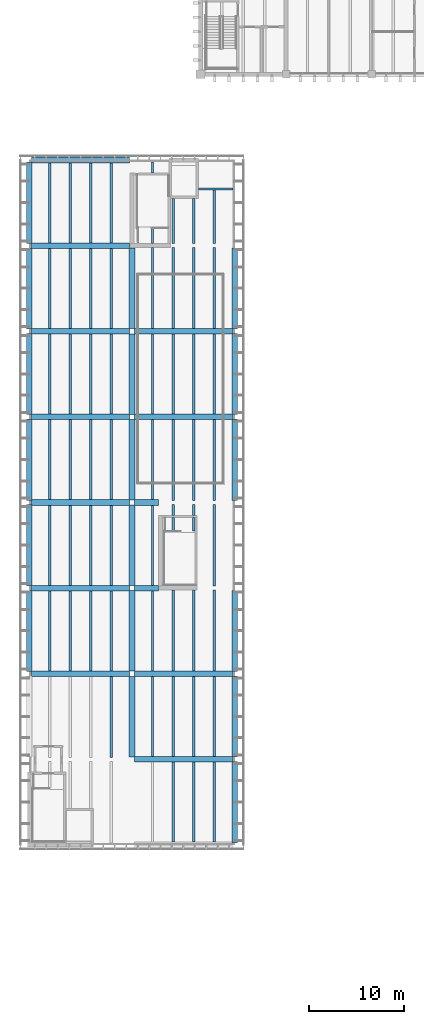
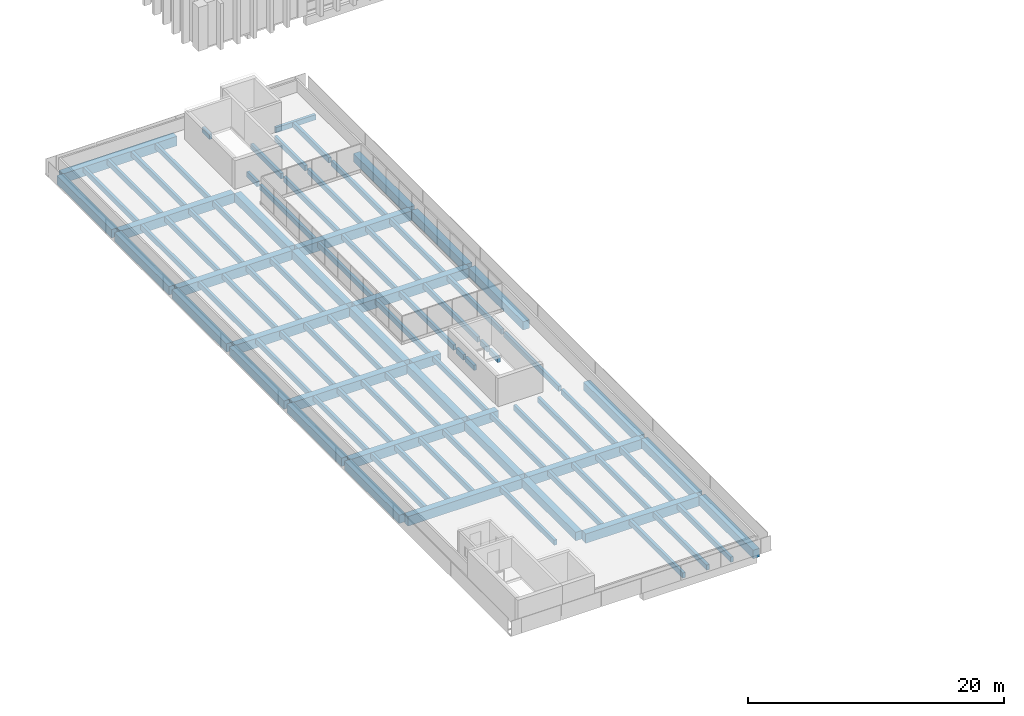
# One storey, part 6 of 29: 91 beams.
"""IFC4 building model written with IfcOpenShell, lengths in metres."""

from ifc_helpers import new_model, si_unit, direction, frame, origin, origin_2d, place, context, subcontext, project, spatial, rectangle, extrude, material, material_profile, profile_set, type_object, element, save


model = new_model("IFC4")

# Units and contexts
model_context = context("Model", 3, precision=1e-05, world=origin(), true_north=direction((0.0, 1.0)))
body_context = subcontext(model_context, "Body", "Model", "MODEL_VIEW")
ifc_project = project(units=[si_unit("LENGTHUNIT", "METRE"), si_unit("AREAUNIT", "SQUARE_METRE"), si_unit("VOLUMEUNIT", "CUBIC_METRE"), si_unit("PLANEANGLEUNIT", "RADIAN"), si_unit("MASSUNIT", "GRAM", prefix="KILO")], contexts=[model_context])

# Site, building, storey
site_placement = place(None, origin())
site = spatial("IfcSite", under=ifc_project, at=site_placement, CompositionType="ELEMENT")
building_placement = place(site_placement, origin())
building = spatial("IfcBuilding", under=site, at=building_placement, Name="Merrow Basin Faculty of Sciences", CompositionType="ELEMENT")
storey_placement = place(building_placement, frame((0.0, 0.0, 22.5)))
storey = spatial("IfcBuildingStorey", under=building, at=storey_placement, Name="L05", CompositionType="ELEMENT", Elevation=22.5)

# Beams
ifc_material_1 = material(Name="Concrete C40/50", Category="concrete")
ifc_material_profile_1 = material_profile(ifc_material_1, rectangle(XDim=0.60009765625, YDim=0.800048828125, at=origin_2d()))
ifc_profile_set_1 = profile_set([ifc_material_profile_1], Name="Concrete C40/50")
beam_type_1 = type_object("IfcBeamType", Name="Beam RC600x800 C40/50", PredefinedType="BEAM", material=ifc_profile_set_1)
for number, where, z_axis, x_axis, name in (
    (1, (0.0, 79.22509765625, -0.64990234375), (0.0, 1.0, 0.0), (-1.0, 0.0, 0.0), "B2 L05 016"),
    (2, (0.0, 88.22509765625, -0.64990234375), (0.0, 1.0, 0.0), (-1.0, 0.0, 0.0), "B2 L05 017"),
    (3, (0.0, 97.22509765625, -0.64990234375), (0.0, 1.0, 0.0), (-1.0, 0.0, 0.0), "B2 L05 018"),
    (4, (0.0, 106.22509765625, -0.64990234375), (0.0, 1.0, 0.0), (-1.0, 0.0, 0.0), "B2 L05 019"),
    (5, (0.0, 115.22509765625, -0.64990234375), (0.0, 1.0, 0.0), (-1.0, 0.0, 0.0), "B2 L05 020"),
    (6, (0.0, 124.22509765625, -0.64990234375), (0.0, 1.0, 0.0), (-1.0, 0.0, 0.0), "B2 L05 021"),
):
    element("IfcBeam", number, at=place(storey_placement, frame(where, z_axis=z_axis, x_axis=x_axis)), inside=storey, type_object=beam_type_1, Name=name, PredefinedType="BEAM", context=body_context, shape_type="SweptSolid", body=[
        extrude(rectangle(XDim=0.60009765625, YDim=0.800048828125, at=origin_2d()), origin(), (0.0, 0.0, 1.0), 8.5498046875),
    ])
for number, where, z_axis, x_axis, name in (
    (7, (10.800048828125, 70.27490234375, -0.64990234375), (0.0, 1.0, 0.0), (-1.0, 0.0, 0.0), "B2 L05 022"),
    (8, (10.800048828125, 79.27490234375, -0.64990234375), (0.0, 1.0, 0.0), (-1.0, 0.0, 0.0), "B2 L05 023"),
    (9, (10.800048828125, 88.27490234375, -0.64990234375), (0.0, 1.0, 0.0), (-1.0, 0.0, 0.0), "B2 L05 024"),
    (10, (10.800048828125, 97.27490234375, -0.64990234375), (0.0, 1.0, 0.0), (-1.0, 0.0, 0.0), "B2 L05 025"),
    (11, (10.800048828125, 106.27490234375, -0.64990234375), (0.0, 1.0, 0.0), (-1.0, 0.0, 0.0), "B2 L05 026"),
    (12, (10.800048828125, 115.27490234375, -0.64990234375), (0.0, 1.0, 0.0), (-1.0, 0.0, 0.0), "B2 L05 027"),
):
    element("IfcBeam", number, at=place(storey_placement, frame(where, z_axis=z_axis, x_axis=x_axis)), inside=storey, type_object=beam_type_1, Name=name, PredefinedType="BEAM", context=body_context, shape_type="SweptSolid", body=[
        extrude(rectangle(XDim=0.60009765625, YDim=0.800048828125, at=origin_2d()), origin(), (0.0, 0.0, 1.0), 8.4501953125),
    ])
for number, where, z_axis, x_axis, name in (
    (13, (21.60009765625, 61.22509765625, -0.64990234375), (0.0, 1.0, 0.0), (-1.0, 0.0, 0.0), "B2 L05 028"),
    (14, (21.60009765625, 70.22509765625, -0.64990234375), (0.0, 1.0, 0.0), (-1.0, 0.0, 0.0), "B2 L05 029"),
    (15, (21.60009765625, 79.22509765625, -0.64990234375), (0.0, 1.0, 0.0), (-1.0, 0.0, 0.0), "B2 L05 030"),
    (16, (21.60009765625, 97.22509765625, -0.64990234375), (0.0, 1.0, 0.0), (-1.0, 0.0, 0.0), "B2 L05 031"),
    (17, (21.60009765625, 106.22509765625, -0.64990234375), (0.0, 1.0, 0.0), (-1.0, 0.0, 0.0), "B2 L05 032"),
    (18, (21.60009765625, 115.22509765625, -0.64990234375), (0.0, 1.0, 0.0), (-1.0, 0.0, 0.0), "B2 L05 033"),
):
    element("IfcBeam", number, at=place(storey_placement, frame(where, z_axis=z_axis, x_axis=x_axis)), inside=storey, type_object=beam_type_1, Name=name, PredefinedType="BEAM", context=body_context, shape_type="SweptSolid", body=[
        extrude(rectangle(XDim=0.60009765625, YDim=0.800048828125, at=origin_2d()), origin(), (0.0, 0.0, 1.0), 8.5498046875),
    ])
ifc_material_2 = material(Name="Concrete C40/50", Category="concrete")
ifc_material_profile_2 = material_profile(ifc_material_2, rectangle(XDim=0.60009765625, YDim=0.89990234375, at=origin_2d()))
ifc_profile_set_2 = profile_set([ifc_material_profile_2], Name="Concrete C40/50")
beam_type_2 = type_object("IfcBeamType", Name="Beam RC600x900 C40/50", PredefinedType="BEAM", material=ifc_profile_set_2)
beam_1_placement = place(storey_placement, frame((11.074951171875, 70.0, -0.699951171875), z_axis=(1.0, 0.0, 0.0), x_axis=(0.0, 1.0, 0.0)))
element("IfcBeam", 19, at=beam_1_placement, inside=storey, type_object=beam_type_2, Name="B1 L05 002", PredefinedType="BEAM", context=body_context, shape_type="SweptSolid", body=[
    extrude(rectangle(XDim=0.60009765625, YDim=0.89990234375, at=origin_2d()), origin(), (0.0, 0.0, 1.0), 10.300048828125),
])
beam_2_placement = place(storey_placement, frame((0.22509765625, 79.0, -0.699951171875), z_axis=(1.0, 0.0, 0.0), x_axis=(0.0, 1.0, 0.0)))
element("IfcBeam", 20, at=beam_2_placement, inside=storey, type_object=beam_type_2, Name="B1 L05 003", PredefinedType="BEAM", context=body_context, shape_type="SweptSolid", body=[
    extrude(rectangle(XDim=0.60009765625, YDim=0.89990234375, at=origin_2d()), origin(), (0.0, 0.0, 1.0), 10.2998046875),
])
beam_3_placement = place(storey_placement, frame((11.074951171875, 79.0, -0.699951171875), z_axis=(1.0, 0.0, 0.0), x_axis=(0.0, 1.0, 0.0)))
element("IfcBeam", 21, at=beam_3_placement, inside=storey, type_object=beam_type_2, Name="B1 L05 004", PredefinedType="BEAM", context=body_context, shape_type="SweptSolid", body=[
    extrude(rectangle(XDim=0.60009765625, YDim=0.89990234375, at=origin_2d()), origin(), (0.0, 0.0, 1.0), 10.300048828125),
])
beam_4_placement = place(storey_placement, frame((0.22509765625, 88.0, -0.699951171875), z_axis=(1.0, 0.0, 0.0), x_axis=(0.0, 1.0, 0.0)))
element("IfcBeam", 22, at=beam_4_placement, inside=storey, type_object=beam_type_2, Name="B1 L05 005", PredefinedType="BEAM", context=body_context, shape_type="SweptSolid", body=[
    extrude(rectangle(XDim=0.60009765625, YDim=0.89990234375, at=origin_2d()), origin(), (0.0, 0.0, 1.0), 10.2998046875),
])
beam_5_placement = place(storey_placement, frame((11.074951171875, 88.0, -0.699951171875), z_axis=(1.0, 0.0, 0.0), x_axis=(0.0, 1.0, 0.0)))
element("IfcBeam", 23, at=beam_5_placement, inside=storey, type_object=beam_type_2, Name="B1 L05 006", PredefinedType="BEAM", context=body_context, shape_type="SweptSolid", body=[
    extrude(rectangle(XDim=0.60009765625, YDim=0.89990234375, at=origin_2d()), origin(), (0.0, 0.0, 1.0), 2.525146484375),
])
beam_6_placement = place(storey_placement, frame((0.22509765625, 97.0, -0.699951171875), z_axis=(1.0, 0.0, 0.0), x_axis=(0.0, 1.0, 0.0)))
element("IfcBeam", 24, at=beam_6_placement, inside=storey, type_object=beam_type_2, Name="B1 L05 007", PredefinedType="BEAM", context=body_context, shape_type="SweptSolid", body=[
    extrude(rectangle(XDim=0.60009765625, YDim=0.89990234375, at=origin_2d()), origin(), (0.0, 0.0, 1.0), 10.2998046875),
])
beam_7_placement = place(storey_placement, frame((11.074951171875, 97.0, -0.699951171875), z_axis=(1.0, 0.0, 0.0), x_axis=(0.0, 1.0, 0.0)))
element("IfcBeam", 25, at=beam_7_placement, inside=storey, type_object=beam_type_2, Name="B1 L05 008", PredefinedType="BEAM", context=body_context, shape_type="SweptSolid", body=[
    extrude(rectangle(XDim=0.60009765625, YDim=0.89990234375, at=origin_2d()), origin(), (0.0, 0.0, 1.0), 2.525146484375),
])
beam_8_placement = place(storey_placement, frame((0.22509765625, 106.0, -0.699951171875), z_axis=(1.0, 0.0, 0.0), x_axis=(0.0, 1.0, 0.0)))
element("IfcBeam", 26, at=beam_8_placement, inside=storey, type_object=beam_type_2, Name="B1 L05 009", PredefinedType="BEAM", context=body_context, shape_type="SweptSolid", body=[
    extrude(rectangle(XDim=0.60009765625, YDim=0.89990234375, at=origin_2d()), origin(), (0.0, 0.0, 1.0), 10.2998046875),
])
beam_9_placement = place(storey_placement, frame((11.074951171875, 106.0, -0.699951171875), z_axis=(1.0, 0.0, 0.0), x_axis=(0.0, 1.0, 0.0)))
element("IfcBeam", 27, at=beam_9_placement, inside=storey, type_object=beam_type_2, Name="B1 L05 010", PredefinedType="BEAM", context=body_context, shape_type="SweptSolid", body=[
    extrude(rectangle(XDim=0.60009765625, YDim=0.89990234375, at=origin_2d()), origin(), (0.0, 0.0, 1.0), 10.300048828125),
])
beam_10_placement = place(storey_placement, frame((0.22509765625, 115.0, -0.699951171875), z_axis=(1.0, 0.0, 0.0), x_axis=(0.0, 1.0, 0.0)))
element("IfcBeam", 28, at=beam_10_placement, inside=storey, type_object=beam_type_2, Name="B1 L05 011", PredefinedType="BEAM", context=body_context, shape_type="SweptSolid", body=[
    extrude(rectangle(XDim=0.60009765625, YDim=0.89990234375, at=origin_2d()), origin(), (0.0, 0.0, 1.0), 10.2998046875),
])
beam_11_placement = place(storey_placement, frame((11.074951171875, 115.0, -0.699951171875), z_axis=(1.0, 0.0, 0.0), x_axis=(0.0, 1.0, 0.0)))
element("IfcBeam", 29, at=beam_11_placement, inside=storey, type_object=beam_type_2, Name="B1 L05 012", PredefinedType="BEAM", context=body_context, shape_type="SweptSolid", body=[
    extrude(rectangle(XDim=0.60009765625, YDim=0.89990234375, at=origin_2d()), origin(), (0.0, 0.0, 1.0), 10.300048828125),
])
for number, where, z_axis, x_axis, name in (
    (30, (0.22509765625, 124.0, -0.699951171875), (1.0, 0.0, 0.0), (0.0, 1.0, 0.0), "B1 L05 013"),
    (31, (0.22509765625, 133.0, -0.699951171875), (1.0, 0.0, 0.0), (0.0, 1.0, 0.0), "B1 L05 014"),
):
    element("IfcBeam", number, at=place(storey_placement, frame(where, z_axis=z_axis, x_axis=x_axis)), inside=storey, type_object=beam_type_2, Name=name, PredefinedType="BEAM", context=body_context, shape_type="SweptSolid", body=[
        extrude(rectangle(XDim=0.60009765625, YDim=0.89990234375, at=origin_2d()), origin(), (0.0, 0.0, 1.0), 10.2998046875),
    ])
ifc_material_3 = material(Name="Concrete C40/50", Category="concrete")
ifc_material_profile_3 = material_profile(ifc_material_3, rectangle(XDim=0.25, YDim=0.5, at=origin_2d()))
ifc_profile_set_3 = profile_set([ifc_material_profile_3], Name="Concrete C40/50")
beam_type_3 = type_object("IfcBeamType", Name="Roof joist RC250x500 C40/50", PredefinedType="BEAM", material=ifc_profile_set_3)
beam_12_placement = place(storey_placement, frame((8.639892578125, 70.199951171875, -0.5), z_axis=(0.0, 1.0, 0.0), x_axis=(-1.0, 0.0, 0.0)))
element("IfcBeam", 32, at=beam_12_placement, inside=storey, type_object=beam_type_3, Name="JR1 L05 042", PredefinedType="BEAM", context=body_context, shape_type="SweptSolid", body=[
    extrude(rectangle(XDim=0.25, YDim=0.5, at=origin_2d()), origin(), (0.0, 0.0, 1.0), 8.5),
])
for number, where, z_axis, x_axis, name in (
    (33, (2.159912109375, 79.300048828125, -0.5), (0.0, 1.0, 0.0), (-1.0, 0.0, 0.0), "JR1 L05 043"),
    (34, (4.320068359375, 79.300048828125, -0.5), (0.0, 1.0, 0.0), (-1.0, 0.0, 0.0), "JR1 L05 044"),
    (35, (6.47998046875, 79.300048828125, -0.5), (0.0, 1.0, 0.0), (-1.0, 0.0, 0.0), "JR1 L05 045"),
    (36, (8.639892578125, 79.300048828125, -0.5), (0.0, 1.0, 0.0), (-1.0, 0.0, 0.0), "JR1 L05 046"),
    (37, (2.159912109375, 88.300048828125, -0.5), (0.0, 1.0, 0.0), (-1.0, 0.0, 0.0), "JR1 L05 047"),
    (38, (4.320068359375, 88.300048828125, -0.5), (0.0, 1.0, 0.0), (-1.0, 0.0, 0.0), "JR1 L05 048"),
    (39, (6.47998046875, 88.300048828125, -0.5), (0.0, 1.0, 0.0), (-1.0, 0.0, 0.0), "JR1 L05 049"),
    (40, (8.639892578125, 88.300048828125, -0.5), (0.0, 1.0, 0.0), (-1.0, 0.0, 0.0), "JR1 L05 050"),
    (41, (2.159912109375, 97.300048828125, -0.5), (0.0, 1.0, 0.0), (-1.0, 0.0, 0.0), "JR1 L05 051"),
    (42, (4.320068359375, 97.300048828125, -0.5), (0.0, 1.0, 0.0), (-1.0, 0.0, 0.0), "JR1 L05 052"),
    (43, (6.47998046875, 97.300048828125, -0.5), (0.0, 1.0, 0.0), (-1.0, 0.0, 0.0), "JR1 L05 053"),
    (44, (8.639892578125, 97.300048828125, -0.5), (0.0, 1.0, 0.0), (-1.0, 0.0, 0.0), "JR1 L05 054"),
    (45, (2.159912109375, 106.300048828125, -0.5), (0.0, 1.0, 0.0), (-1.0, 0.0, 0.0), "JR1 L05 055"),
    (46, (4.320068359375, 106.300048828125, -0.5), (0.0, 1.0, 0.0), (-1.0, 0.0, 0.0), "JR1 L05 056"),
    (47, (6.47998046875, 106.300048828125, -0.5), (0.0, 1.0, 0.0), (-1.0, 0.0, 0.0), "JR1 L05 057"),
    (48, (8.639892578125, 106.300048828125, -0.5), (0.0, 1.0, 0.0), (-1.0, 0.0, 0.0), "JR1 L05 058"),
    (49, (2.159912109375, 115.300048828125, -0.5), (0.0, 1.0, 0.0), (-1.0, 0.0, 0.0), "JR1 L05 059"),
    (50, (4.320068359375, 115.300048828125, -0.5), (0.0, 1.0, 0.0), (-1.0, 0.0, 0.0), "JR1 L05 060"),
    (51, (6.47998046875, 115.300048828125, -0.5), (0.0, 1.0, 0.0), (-1.0, 0.0, 0.0), "JR1 L05 061"),
    (52, (8.639892578125, 115.300048828125, -0.5), (0.0, 1.0, 0.0), (-1.0, 0.0, 0.0), "JR1 L05 062"),
    (53, (2.159912109375, 124.300048828125, -0.5), (0.0, 1.0, 0.0), (-1.0, 0.0, 0.0), "JR1 L05 063"),
    (54, (4.320068359375, 124.300048828125, -0.5), (0.0, 1.0, 0.0), (-1.0, 0.0, 0.0), "JR1 L05 064"),
    (55, (6.47998046875, 124.300048828125, -0.5), (0.0, 1.0, 0.0), (-1.0, 0.0, 0.0), "JR1 L05 065"),
    (56, (8.639892578125, 124.300048828125, -0.5), (0.0, 1.0, 0.0), (-1.0, 0.0, 0.0), "JR1 L05 066"),
    (57, (15.1201171875, 61.300048828125, -0.5), (0.0, 1.0, 0.0), (-1.0, 0.0, 0.0), "JR1 L05 068"),
    (58, (17.280029296875, 61.300048828125, -0.5), (0.0, 1.0, 0.0), (-1.0, 0.0, 0.0), "JR1 L05 069"),
    (59, (19.43994140625, 61.300048828125, -0.5), (0.0, 1.0, 0.0), (-1.0, 0.0, 0.0), "JR1 L05 070"),
    (60, (12.9599609375, 70.300048828125, -0.5), (0.0, 1.0, 0.0), (-1.0, 0.0, 0.0), "JR1 L05 071"),
    (61, (15.1201171875, 70.300048828125, -0.5), (0.0, 1.0, 0.0), (-1.0, 0.0, 0.0), "JR1 L05 072"),
    (62, (17.280029296875, 70.300048828125, -0.5), (0.0, 1.0, 0.0), (-1.0, 0.0, 0.0), "JR1 L05 073"),
    (63, (19.43994140625, 70.300048828125, -0.5), (0.0, 1.0, 0.0), (-1.0, 0.0, 0.0), "JR1 L05 074"),
    (64, (12.9599609375, 79.300048828125, -0.5), (0.0, 1.0, 0.0), (-1.0, 0.0, 0.0), "JR1 L05 075"),
):
    element("IfcBeam", number, at=place(storey_placement, frame(where, z_axis=z_axis, x_axis=x_axis)), inside=storey, type_object=beam_type_3, Name=name, PredefinedType="BEAM", context=body_context, shape_type="SweptSolid", body=[
        extrude(rectangle(XDim=0.25, YDim=0.5, at=origin_2d()), origin(), (0.0, 0.0, 1.0), 8.39990234375),
    ])
for number, where, z_axis, x_axis, name in (
    (65, (15.1201171875, 79.300048828125, -0.5), (0.0, 1.0, 0.0), (-1.0, 0.0, 0.0), "JR1 L05 076"),
    (66, (17.280029296875, 79.300048828125, -0.5), (0.0, 1.0, 0.0), (-1.0, 0.0, 0.0), "JR1 L05 077"),
    (67, (19.43994140625, 79.300048828125, -0.5), (0.0, 1.0, 0.0), (-1.0, 0.0, 0.0), "JR1 L05 078"),
):
    element("IfcBeam", number, at=place(storey_placement, frame(where, z_axis=z_axis, x_axis=x_axis)), inside=storey, type_object=beam_type_3, Name=name, PredefinedType="BEAM", context=body_context, shape_type="SweptSolid", body=[
        extrude(rectangle(XDim=0.25, YDim=0.5, at=origin_2d()), origin(), (0.0, 0.0, 1.0), 8.5),
    ])
beam_13_placement = place(storey_placement, frame((12.9599609375, 88.300048828125, -0.5), z_axis=(0.0, 1.0, 0.0), x_axis=(-1.0, 0.0, 0.0)))
element("IfcBeam", 68, at=beam_13_placement, inside=storey, type_object=beam_type_3, Name="JR1 L05 079", PredefinedType="BEAM", context=body_context, shape_type="SweptSolid", body=[
    extrude(rectangle(XDim=0.25, YDim=0.5, at=origin_2d()), origin(), (0.0, 0.0, 1.0), 8.39990234375),
])
beam_14_placement = place(storey_placement, frame((15.1201171875, 94.0, -0.5), z_axis=(0.0, 1.0, 0.0), x_axis=(-1.0, 0.0, 0.0)))
element("IfcBeam", 69, at=beam_14_placement, inside=storey, type_object=beam_type_3, Name="JR1 L05 080", PredefinedType="BEAM", context=body_context, shape_type="SweptSolid", body=[
    extrude(rectangle(XDim=0.25, YDim=0.5, at=origin_2d()), origin(), (0.0, 0.0, 1.0), 1.39990234375),
])
beam_15_placement = place(storey_placement, frame((15.1201171875, 95.64990234375, -0.5), z_axis=(0.0, 1.0, 0.0), x_axis=(-1.0, 0.0, 0.0)))
element("IfcBeam", 70, at=beam_15_placement, inside=storey, type_object=beam_type_3, Name="JR1 L05 081", PredefinedType="BEAM", context=body_context, shape_type="SweptSolid", body=[
    extrude(rectangle(XDim=0.25, YDim=0.5, at=origin_2d()), origin(), (0.0, 0.0, 1.0), 1.150146484375),
])
beam_16_placement = place(storey_placement, frame((17.280029296875, 94.0, -0.5), z_axis=(0.0, 1.0, 0.0), x_axis=(-1.0, 0.0, 0.0)))
element("IfcBeam", 71, at=beam_16_placement, inside=storey, type_object=beam_type_3, Name="JR1 L05 082", PredefinedType="BEAM", context=body_context, shape_type="SweptSolid", body=[
    extrude(rectangle(XDim=0.25, YDim=0.5, at=origin_2d()), origin(), (0.0, 0.0, 1.0), 1.39990234375),
])
beam_17_placement = place(storey_placement, frame((17.280029296875, 95.64990234375, -0.5), z_axis=(0.0, 1.0, 0.0), x_axis=(-1.0, 0.0, 0.0)))
element("IfcBeam", 72, at=beam_17_placement, inside=storey, type_object=beam_type_3, Name="JR1 L05 083", PredefinedType="BEAM", context=body_context, shape_type="SweptSolid", body=[
    extrude(rectangle(XDim=0.25, YDim=0.5, at=origin_2d()), origin(), (0.0, 0.0, 1.0), 1.150146484375),
])
beam_18_placement = place(storey_placement, frame((19.43994140625, 88.199951171875, -0.5), z_axis=(0.0, 1.0, 0.0), x_axis=(-1.0, 0.0, 0.0)))
element("IfcBeam", 73, at=beam_18_placement, inside=storey, type_object=beam_type_3, Name="JR1 L05 084", PredefinedType="BEAM", context=body_context, shape_type="SweptSolid", body=[
    extrude(rectangle(XDim=0.25, YDim=0.5, at=origin_2d()), origin(), (0.0, 0.0, 1.0), 8.60009765625),
])
beam_19_placement = place(storey_placement, frame((12.9599609375, 97.300048828125, -0.5), z_axis=(0.0, 1.0, 0.0), x_axis=(-1.0, 0.0, 0.0)))
element("IfcBeam", 74, at=beam_19_placement, inside=storey, type_object=beam_type_3, Name="JR1 L05 085", PredefinedType="BEAM", context=body_context, shape_type="SweptSolid", body=[
    extrude(rectangle(XDim=0.25, YDim=0.5, at=origin_2d()), origin(), (0.0, 0.0, 1.0), 8.39990234375),
])
for number, where, z_axis, x_axis, name in (
    (75, (15.1201171875, 97.199951171875, -0.5), (0.0, 1.0, 0.0), (-1.0, 0.0, 0.0), "JR1 L05 086"),
    (76, (17.280029296875, 97.199951171875, -0.5), (0.0, 1.0, 0.0), (-1.0, 0.0, 0.0), "JR1 L05 087"),
    (77, (19.43994140625, 97.199951171875, -0.5), (0.0, 1.0, 0.0), (-1.0, 0.0, 0.0), "JR1 L05 088"),
):
    element("IfcBeam", number, at=place(storey_placement, frame(where, z_axis=z_axis, x_axis=x_axis)), inside=storey, type_object=beam_type_3, Name=name, PredefinedType="BEAM", context=body_context, shape_type="SweptSolid", body=[
        extrude(rectangle(XDim=0.25, YDim=0.5, at=origin_2d()), origin(), (0.0, 0.0, 1.0), 8.5),
    ])
for number, where, z_axis, x_axis, name in (
    (78, (12.9599609375, 106.300048828125, -0.5), (0.0, 1.0, 0.0), (-1.0, 0.0, 0.0), "JR1 L05 089"),
    (79, (15.1201171875, 106.300048828125, -0.5), (0.0, 1.0, 0.0), (-1.0, 0.0, 0.0), "JR1 L05 090"),
    (80, (17.280029296875, 106.300048828125, -0.5), (0.0, 1.0, 0.0), (-1.0, 0.0, 0.0), "JR1 L05 091"),
    (81, (19.43994140625, 106.300048828125, -0.5), (0.0, 1.0, 0.0), (-1.0, 0.0, 0.0), "JR1 L05 092"),
):
    element("IfcBeam", number, at=place(storey_placement, frame(where, z_axis=z_axis, x_axis=x_axis)), inside=storey, type_object=beam_type_3, Name=name, PredefinedType="BEAM", context=body_context, shape_type="SweptSolid", body=[
        extrude(rectangle(XDim=0.25, YDim=0.5, at=origin_2d()), origin(), (0.0, 0.0, 1.0), 8.39990234375),
    ])
for number, where, z_axis, x_axis, name in (
    (82, (12.9599609375, 115.300048828125, -0.5), (0.0, 1.0, 0.0), (-1.0, 0.0, 0.0), "JR1 L05 093"),
    (83, (15.1201171875, 115.300048828125, -0.5), (0.0, 1.0, 0.0), (-1.0, 0.0, 0.0), "JR1 L05 094"),
    (84, (17.280029296875, 115.300048828125, -0.5), (0.0, 1.0, 0.0), (-1.0, 0.0, 0.0), "JR1 L05 095"),
    (85, (19.43994140625, 115.300048828125, -0.5), (0.0, 1.0, 0.0), (-1.0, 0.0, 0.0), "JR1 L05 096"),
):
    element("IfcBeam", number, at=place(storey_placement, frame(where, z_axis=z_axis, x_axis=x_axis)), inside=storey, type_object=beam_type_3, Name=name, PredefinedType="BEAM", context=body_context, shape_type="SweptSolid", body=[
        extrude(rectangle(XDim=0.25, YDim=0.5, at=origin_2d()), origin(), (0.0, 0.0, 1.0), 8.5),
    ])
beam_20_placement = place(storey_placement, frame((12.9599609375, 124.199951171875, -0.5), z_axis=(0.0, 1.0, 0.0), x_axis=(-1.0, 0.0, 0.0)))
element("IfcBeam", 86, at=beam_20_placement, inside=storey, type_object=beam_type_3, Name="JR1 L05 097", PredefinedType="BEAM", context=body_context, shape_type="SweptSolid", body=[
    extrude(rectangle(XDim=0.25, YDim=0.5, at=origin_2d()), origin(), (0.0, 0.0, 1.0), 1.60009765625),
])
beam_21_placement = place(storey_placement, frame((12.9599609375, 131.64990234375, -0.5), z_axis=(0.0, 1.0, 0.0), x_axis=(-1.0, 0.0, 0.0)))
element("IfcBeam", 87, at=beam_21_placement, inside=storey, type_object=beam_type_3, Name="JR1 L05 098", PredefinedType="BEAM", context=body_context, shape_type="SweptSolid", body=[
    extrude(rectangle(XDim=0.25, YDim=0.5, at=origin_2d()), origin(), (0.0, 0.0, 1.0), 1.150146484375),
])
for number, where, z_axis, x_axis, name in (
    (88, (15.1201171875, 124.199951171875, -0.5), (0.0, 1.0, 0.0), (-1.0, 0.0, 0.0), "JR1 L05 099"),
    (89, (17.280029296875, 124.199951171875, -0.5), (0.0, 1.0, 0.0), (-1.0, 0.0, 0.0), "JR1 L05 100"),
):
    element("IfcBeam", number, at=place(storey_placement, frame(where, z_axis=z_axis, x_axis=x_axis)), inside=storey, type_object=beam_type_3, Name=name, PredefinedType="BEAM", context=body_context, shape_type="SweptSolid", body=[
        extrude(rectangle(XDim=0.25, YDim=0.5, at=origin_2d()), origin(), (0.0, 0.0, 1.0), 4.75),
    ])
beam_22_placement = place(storey_placement, frame((19.43994140625, 124.199951171875, -0.5), z_axis=(0.0, 1.0, 0.0), x_axis=(-1.0, 0.0, 0.0)))
element("IfcBeam", 90, at=beam_22_placement, inside=storey, type_object=beam_type_3, Name="JR1 L05 101", PredefinedType="BEAM", context=body_context, shape_type="SweptSolid", body=[
    extrude(rectangle(XDim=0.25, YDim=0.5, at=origin_2d()), origin(), (0.0, 0.0, 1.0), 5.625),
])
beam_23_placement = place(storey_placement, frame((17.800048828125, 129.949951171875, -0.5), z_axis=(1.0, 0.0, 0.0), x_axis=(0.0, 1.0, 0.0)))
element("IfcBeam", 91, at=beam_23_placement, inside=storey, type_object=beam_type_3, Name="JR1 L05 102", PredefinedType="BEAM", context=body_context, shape_type="SweptSolid", body=[
    extrude(rectangle(XDim=0.25, YDim=0.5, at=origin_2d()), origin(), (0.0, 0.0, 1.0), 3.599853515625),
])

save(model, "model.ifc")
